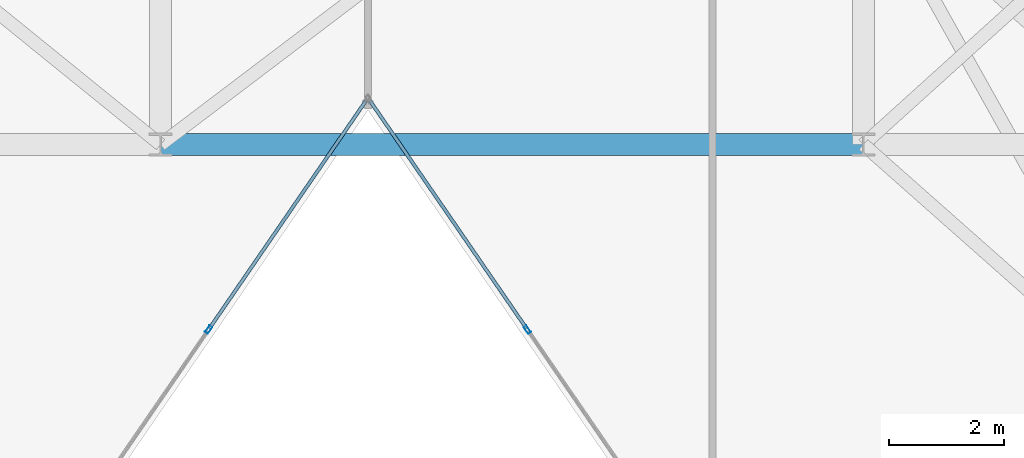
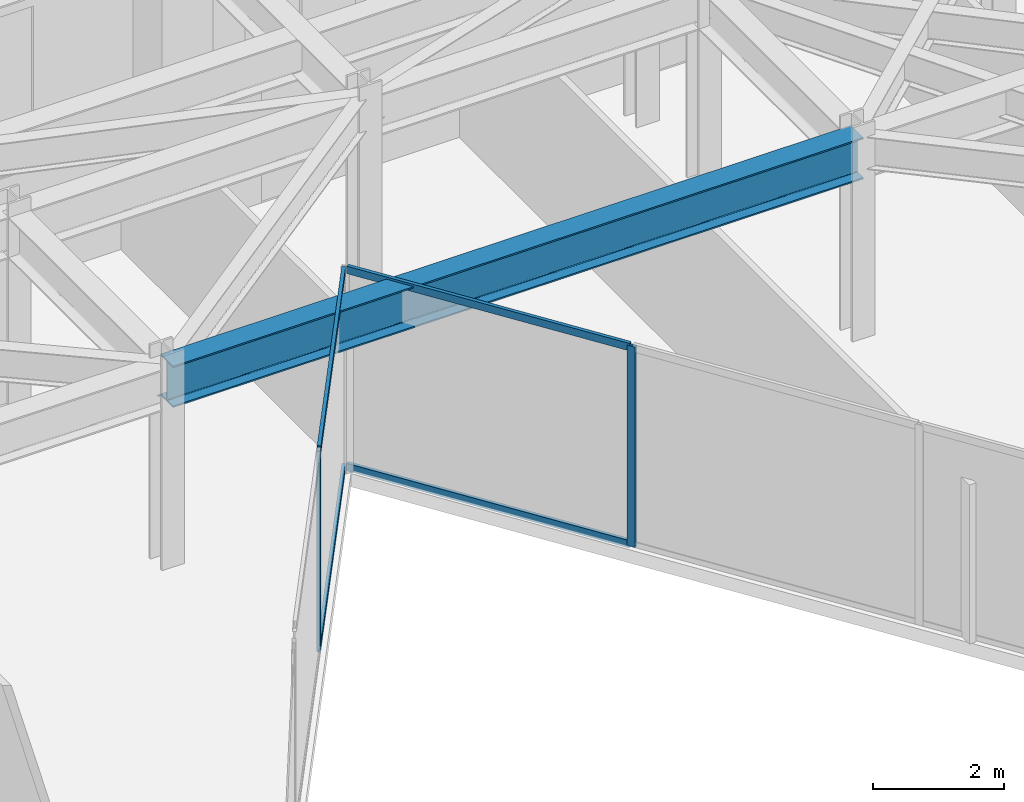
# One storey, part 6 of 21: 6 members, 1 beam, 2 elements without a shape of their own.
"""IFC4 building model written with IfcOpenShell, lengths in metres."""

from ifc_helpers import new_model, si_unit, direction, frame, origin, origin_2d, place, context, subcontext, project, spatial, hollow_rectangle, i_section, extrude, material, layer, layer_set, material_profile, profile_set, type_object, element, aggregate, save


model = new_model("IFC4")

# Units and contexts
model_context = context("Model", 3, precision=1e-05, world=origin(), true_north=direction((0.0, 1.0)))
body_context = subcontext(model_context, "Body", "Model", "MODEL_VIEW")
ifc_project = project(units=[si_unit("LENGTHUNIT", "METRE"), si_unit("AREAUNIT", "SQUARE_METRE"), si_unit("VOLUMEUNIT", "CUBIC_METRE"), si_unit("PLANEANGLEUNIT", "RADIAN"), si_unit("MASSUNIT", "GRAM", prefix="KILO")], contexts=[model_context])

# Site, building, storey
site_placement = place(None, origin())
site = spatial("IfcSite", under=ifc_project, at=site_placement, CompositionType="ELEMENT")
building_placement = place(site_placement, origin())
building = spatial("IfcBuilding", under=site, at=building_placement, Name="Kravanh Interchange Tower", CompositionType="ELEMENT")
storey_placement = place(building_placement, frame((0.0, 0.0, 216.5)))
storey = spatial("IfcBuildingStorey", under=building, at=storey_placement, Name="L52", CompositionType="ELEMENT", Elevation=216.5)

# Curtain wall, member
ifc_material_1 = material(Name="Anodised Bronze Aluminium", Category="aluminium")
ifc_layer = layer(ifc_material_1, 0.179931640625)
ifc_layer_set = layer_set([ifc_layer], Name="Unitised Curtain Wall System CW-Z3 Upper Office")
curtain_wall_type = type_object("IfcCurtainWallType", Name="Unitised Curtain Wall System CW-Z3 Upper Office", PredefinedType="NOTDEFINED", material=ifc_layer_set)
curtain_wall_1_placement = place(storey_placement, origin())
curtain_wall_1 = element("IfcCurtainWall", 1, at=curtain_wall_1_placement, inside=storey, type_object=curtain_wall_type, Name="L52 Unitised Curtain Wall CW-L52-03", PredefinedType="NOTDEFINED")
ifc_material_2 = material(Name="Anodised Bronze Aluminium", Category="aluminium")
ifc_material_profile_1 = material_profile(ifc_material_2, hollow_rectangle(XDim=0.06005859375, YDim=0.139892578125, WallThickness=0.00390625, at=origin_2d()), Name="ALU60X140X4")
ifc_profile_set_1 = profile_set([ifc_material_profile_1], Name="Anodised Bronze Aluminium")
member_type_1 = type_object("IfcMemberType", Name="Curtain Wall Mullion ALU60X140X4 Bronze", PredefinedType="MULLION", material=ifc_profile_set_1)
member_1_placement = place(storey_placement, frame((44.9658203125, 23.5888671875, 0.0), z_axis=(0.0, 0.0, 1.0), x_axis=(-0.824042223035, -0.566528388217, 0.0)))
member_1 = element("IfcMember", 2, at=member_1_placement, type_object=member_type_1, Name="CW-Z3 mullion 4", PredefinedType="MULLION", context=body_context, shape_type="SweptSolid", body=[
    extrude(hollow_rectangle(XDim=0.06005859375, YDim=0.139892578125, WallThickness=0.00390625, at=origin_2d()), origin(), (0.0, 0.0, 1.0), 3.7451171875),
])

curtain_wall_2_placement = place(storey_placement, origin())
curtain_wall_2 = element("IfcCurtainWall", 3, at=curtain_wall_2_placement, inside=storey, type_object=curtain_wall_type, Name="L52 Unitised Curtain Wall CW-L52-04", PredefinedType="NOTDEFINED")
member_2_placement = place(storey_placement, frame((39.434326171875, 23.5888671875, 0.0), z_axis=(0.0, 0.0, 1.0), x_axis=(0.824042223035, -0.566528388217, 0.0)))
member_2 = element("IfcMember", 4, at=member_2_placement, type_object=member_type_1, Name="CW-Z3 mullion 2", PredefinedType="MULLION", context=body_context, shape_type="SweptSolid", body=[
    extrude(hollow_rectangle(XDim=0.06005859375, YDim=0.139892578125, WallThickness=0.00390625, at=origin_2d()), origin(), (0.0, 0.0, 1.0), 3.7451171875),
])

# Member
ifc_material_3 = material(Name="Anodised Bronze Aluminium", Category="aluminium")
ifc_material_profile_2 = material_profile(ifc_material_3, hollow_rectangle(XDim=0.06005859375, YDim=0.139892578125, WallThickness=0.00390625, at=origin_2d()), Name="ALU60X140X4")
ifc_profile_set_2 = profile_set([ifc_material_profile_2], Name="Anodised Bronze Aluminium")
member_type_2 = type_object("IfcMemberType", Name="Curtain Wall Transom ALU60X140X4 Bronze", PredefinedType="USERDEFINED", material=ifc_profile_set_2)
member_3_placement = place(storey_placement, frame((44.94873046875, 23.613525390625, 0.030029296875), z_axis=(-0.566541796314, 0.824033004818, 0.0), x_axis=(-0.824033004818, -0.566541796314, 0.0)))
member_3 = element("IfcMember", 5, at=member_3_placement, type_object=member_type_2, Name="CW-Z3 transom 4.1", ObjectType="TRANSOM", PredefinedType="USERDEFINED", context=body_context, shape_type="SweptSolid", body=[
    extrude(hollow_rectangle(XDim=0.06005859375, YDim=0.139892578125, WallThickness=0.00390625, at=origin_2d()), origin(), (0.0, 0.0, 1.0), 4.7919921875),
])

member_4_placement = place(storey_placement, frame((44.94873046875, 23.613525390625, 3.715087890625), z_axis=(-0.566541796314, 0.824033004818, 0.0), x_axis=(-0.824033004818, -0.566541796314, 0.0)))
member_4 = element("IfcMember", 6, at=member_4_placement, type_object=member_type_2, Name="CW-Z3 transom 4.2", ObjectType="TRANSOM", PredefinedType="USERDEFINED", context=body_context, shape_type="SweptSolid", body=[
    extrude(hollow_rectangle(XDim=0.06005859375, YDim=0.139892578125, WallThickness=0.00390625, at=origin_2d()), origin(), (0.0, 0.0, 1.0), 4.7919921875),
])

aggregate(curtain_wall_1, [member_1, member_3, member_4])

member_5_placement = place(storey_placement, frame((42.166015625, 27.562255859375, 0.030029296875), z_axis=(-0.566541796314, -0.824033004818, 0.0), x_axis=(0.824033004818, -0.566541796314, 0.0)))
member_5 = element("IfcMember", 7, at=member_5_placement, type_object=member_type_2, Name="CW-Z3 transom 1.1", ObjectType="TRANSOM", PredefinedType="USERDEFINED", context=body_context, shape_type="SweptSolid", body=[
    extrude(hollow_rectangle(XDim=0.06005859375, YDim=0.139892578125, WallThickness=0.00390625, at=origin_2d()), origin(), (0.0, 0.0, 1.0), 4.7919921875),
])

member_6_placement = place(storey_placement, frame((42.166015625, 27.562255859375, 3.715087890625), z_axis=(-0.566541796314, -0.824033004818, 0.0), x_axis=(0.824033004818, -0.566541796314, 0.0)))
member_6 = element("IfcMember", 8, at=member_6_placement, type_object=member_type_2, Name="CW-Z3 transom 1.2", ObjectType="TRANSOM", PredefinedType="USERDEFINED", context=body_context, shape_type="SweptSolid", body=[
    extrude(hollow_rectangle(XDim=0.06005859375, YDim=0.139892578125, WallThickness=0.00390625, at=origin_2d()), origin(), (0.0, 0.0, 1.0), 4.7919921875),
])

aggregate(curtain_wall_2, [member_2, member_5, member_6])

# Beam
ifc_material_4 = material(Name="Structural Steel S355", Category="steel")
ifc_material_profile_3 = material_profile(ifc_material_4, i_section(OverallWidth=0.381103515625, OverallDepth=0.77294921875, WebThickness=0.0166015625, FlangeThickness=0.027099609375, FilletRadius=0.02490234375, at=origin_2d()), Name="W30X173")
ifc_profile_set_3 = profile_set([ifc_material_profile_3], Name="Structural Steel S355")
beam_type = type_object("IfcBeamType", Name="Floor Beam W30X173 Structural Steel S355", PredefinedType="BEAM", material=ifc_profile_set_3)
beam_placement = place(storey_placement, frame((38.60009765625, 26.800048828125, 3.3583984375), z_axis=(1.0, 0.0, 0.0), x_axis=(0.0, 1.0, 0.0)))
element("IfcBeam", 9, at=beam_placement, inside=storey, type_object=beam_type, Name="L52 Primary Floor Girder 48", PredefinedType="BEAM", context=body_context, shape_type="SweptSolid", body=[
    extrude(i_section(OverallWidth=0.381103515625, OverallDepth=0.77294921875, WebThickness=0.0166015625, FlangeThickness=0.027099609375, FilletRadius=0.02490234375, at=origin_2d()), origin(), (0.0, 0.0, 1.0), 12.199951171875),
])

save(model, "model.ifc")
